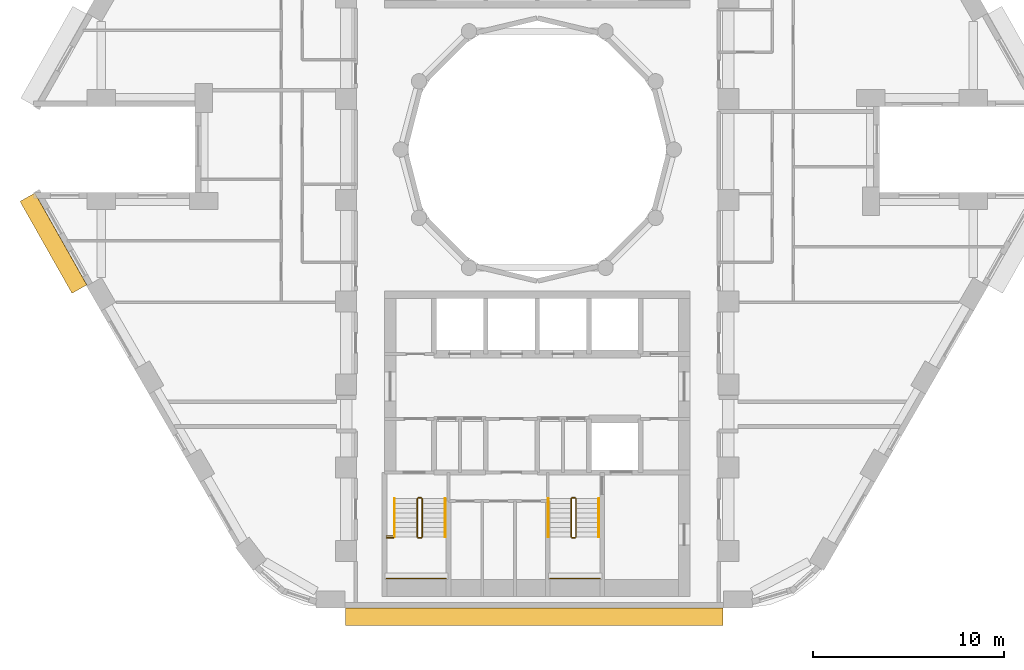
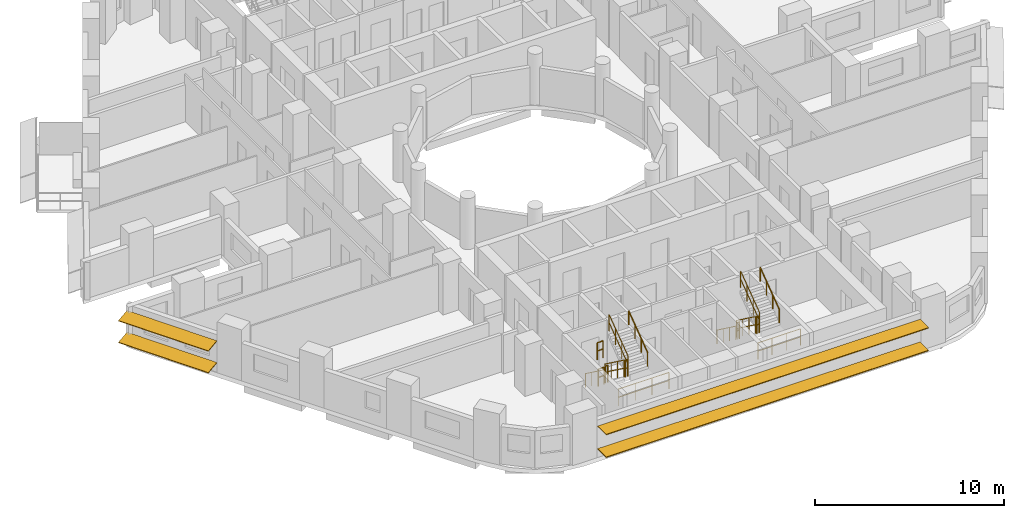
# One storey, part 11 of 13: 16 railings, 4 shading devices.
"""IFC4 building model written with IfcOpenShell, lengths in metres."""

from ifc_helpers import new_model, si_unit, direction, frame, origin, origin_2d, place, context, subcontext, project, spatial, rectangle, circle, extrude, material, material_profile, profile_set, type_object, element, save


model = new_model("IFC4")

# Units and contexts
model_context = context("Model", 3, precision=1e-05, world=origin(), true_north=direction((0.0, 1.0)))
body_context = subcontext(model_context, "Body", "Model", "MODEL_VIEW")
ifc_project = project(units=[si_unit("LENGTHUNIT", "METRE"), si_unit("AREAUNIT", "SQUARE_METRE"), si_unit("VOLUMEUNIT", "CUBIC_METRE"), si_unit("PLANEANGLEUNIT", "RADIAN"), si_unit("MASSUNIT", "GRAM", prefix="KILO")], contexts=[model_context])

# Site, building, storey
site_placement = place(None, origin())
site = spatial("IfcSite", under=ifc_project, at=site_placement, CompositionType="ELEMENT")
building_placement = place(site_placement, origin())
building = spatial("IfcBuilding", under=site, at=building_placement, Name="Nakaniwa Court", CompositionType="ELEMENT")
storey_placement = place(building_placement, frame((0.0, 0.0, 48.0)))
storey = spatial("IfcBuildingStorey", under=building, at=storey_placement, Name="L12", CompositionType="ELEMENT", Elevation=48.0)

# Shading devices
ifc_material_1 = material(Name="Perforated charcoal ceramic louvre blade")
ifc_material_profile = material_profile(ifc_material_1, rectangle(XDim=0.89990234375, YDim=0.050048828125, at=origin_2d()), Name="Perforated ceramic louvre blade")
ifc_profile_set = profile_set([ifc_material_profile], Name="Perforated charcoal ceramic louvre blade")
shading_device_type = type_object("IfcShadingDeviceType", Name="Perforated ceramic louvre blade", PredefinedType="JALOUSIE", material=ifc_profile_set)
for number, where, z_axis, x_axis, name in (
    (1, (53.31689453125, 77.508056640625, 0.550048828125), (0.492342539441, -0.870401530247, 0.0), (0.86275552304, 0.488017576221, 0.132256390257), "L12 perforated ceramic louvre blade w20 1"),
    (2, (53.31689453125, 77.508056640625, 1.955810546875), (0.492342539441, -0.870401530247, 0.0), (0.86275552304, 0.488017576221, 0.132256390257), "L12 perforated ceramic louvre blade w20 2"),
):
    element("IfcShadingDevice", number, at=place(storey_placement, frame(where, z_axis=z_axis, x_axis=x_axis)), inside=storey, type_object=shading_device_type, Name=name, PredefinedType="JALOUSIE", context=body_context, shape_type="SweptSolid", body=[
        extrude(rectangle(XDim=0.89990234375, YDim=0.050048828125, at=origin_2d()), origin(), (0.0, 0.0, 1.0), 5.526611328125),
    ])
for number, where, z_axis, x_axis, name in (
    (3, (69.97119140625, 55.550048828125, 0.550048828125), (1.0, 0.0, 0.0), (0.0, 1.0, 0.0), "L12 perforated ceramic louvre blade w26 1"),
    (4, (69.97119140625, 55.550048828125, 2.014892578125), (1.0, 0.0, 0.0), (0.0, 1.0, 0.0), "L12 perforated ceramic louvre blade w26 2"),
):
    element("IfcShadingDevice", number, at=place(storey_placement, frame(where, z_axis=z_axis, x_axis=x_axis)), inside=storey, type_object=shading_device_type, Name=name, PredefinedType="JALOUSIE", context=body_context, shape_type="SweptSolid", body=[
        extrude(rectangle(XDim=0.89990234375, YDim=0.050048828125, at=origin_2d()), origin(), (0.0, 0.0, 1.0), 19.739990234375),
    ])

# Railings
ifc_material_2 = material(Name="Black powder coated steel guard", Category="steel")
railing_type_1 = type_object("IfcRailingType", Name="Stair guard 1100", PredefinedType="GUARDRAIL", material=ifc_material_2)
railing_1_placement = place(storey_placement, frame((73.72509765625, 61.72509765625, 0.183349609375)))
element("IfcRailing", 5, at=railing_1_placement, inside=storey, type_object=railing_type_1, Name="L12 ST3 stair guard 1", PredefinedType="GUARDRAIL", context=body_context, shape_type="SweptSolid", body=[
    extrude(circle(Radius=0.02392578125, at=origin_2d()), frame((0.0, 0.0, 1.076171875), z_axis=(0.0, -0.806426902644, 0.591333789573), x_axis=(1.0, 0.0, 0.0)), (0.0, 0.0, 1.0), 2.47998046875),
    extrude(circle(Radius=0.02392578125, at=origin_2d()), frame((0.0, 0.0, 0.550048828125), z_axis=(0.0, -0.806426902644, 0.591333789573), x_axis=(1.0, 0.0, 0.0)), (0.0, 0.0, 1.0), 2.47998046875),
    extrude(circle(Radius=0.02099609375, at=origin_2d()), origin(), (0.0, 0.0, 1.0), 1.052001953125),
    extrude(circle(Radius=0.02099609375, at=origin_2d()), frame((0.0, -0.666748046875, 0.48876953125)), (0.0, 0.0, 1.0), 1.052001953125),
    extrude(circle(Radius=0.02099609375, at=origin_2d()), frame((0.0, -1.333251953125, 0.977783203125)), (0.0, 0.0, 1.0), 1.052001953125),
    extrude(circle(Radius=0.02099609375, at=origin_2d()), frame((0.0, -2.0, 1.466552734375)), (0.0, 0.0, 1.0), 1.052001953125),
])
railing_2_placement = place(storey_placement, frame((73.77490234375, 59.675048828125, 1.64990234375)))
element("IfcRailing", 6, at=railing_2_placement, inside=storey, type_object=railing_type_1, Name="L12 ST3 stair guard 2", PredefinedType="GUARDRAIL", context=body_context, shape_type="SweptSolid", body=[
    extrude(circle(Radius=0.02392578125, at=origin_2d()), frame((0.0, 0.0, 1.076171875), z_axis=(1.0, 0.0, 0.0), x_axis=(0.0, 1.0, 0.0)), (0.0, 0.0, 1.0), 0.150146484375),
    extrude(circle(Radius=0.02392578125, at=origin_2d()), frame((0.0, 0.0, 0.550048828125), z_axis=(1.0, 0.0, 0.0), x_axis=(0.0, 1.0, 0.0)), (0.0, 0.0, 1.0), 0.150146484375),
    extrude(circle(Radius=0.02099609375, at=origin_2d()), origin(), (0.0, 0.0, 1.0), 1.052001953125),
    extrude(circle(Radius=0.02099609375, at=origin_2d()), frame((0.150146484375, 0.0, 0.0)), (0.0, 0.0, 1.0), 1.052001953125),
])
railing_3_placement = place(storey_placement, frame((73.97509765625, 59.72509765625, 1.833251953125)))
element("IfcRailing", 7, at=railing_3_placement, inside=storey, type_object=railing_type_1, Name="L12 ST3 stair guard 3", PredefinedType="GUARDRAIL", context=body_context, shape_type="SweptSolid", body=[
    extrude(circle(Radius=0.02392578125, at=origin_2d()), frame((0.0, 0.0, 1.076171875), z_axis=(0.0, 0.806379959628, 0.591397802423), x_axis=(-1.0, 0.0, 0.0)), (0.0, 0.0, 1.0), 2.480224609375),
    extrude(circle(Radius=0.02392578125, at=origin_2d()), frame((0.0, 0.0, 0.550048828125), z_axis=(0.0, 0.806379959628, 0.591397802423), x_axis=(-1.0, 0.0, 0.0)), (0.0, 0.0, 1.0), 2.480224609375),
    extrude(circle(Radius=0.02099609375, at=origin_2d()), origin(), (0.0, 0.0, 1.0), 1.052001953125),
    extrude(circle(Radius=0.02099609375, at=origin_2d()), frame((0.0, 0.666748046875, 0.489013671875)), (0.0, 0.0, 1.0), 1.052001953125),
    extrude(circle(Radius=0.02099609375, at=origin_2d()), frame((0.0, 1.333251953125, 0.977783203125)), (0.0, 0.0, 1.0), 1.052001953125),
    extrude(circle(Radius=0.02099609375, at=origin_2d()), frame((0.0, 2.0, 1.466796875)), (0.0, 0.0, 1.0), 1.052001953125),
])
railing_4_placement = place(storey_placement, frame((73.77490234375, 61.77490234375, 0.0)))
element("IfcRailing", 8, at=railing_4_placement, inside=storey, type_object=railing_type_1, Name="L12 ST3 stair guard 4", PredefinedType="GUARDRAIL", context=body_context, shape_type="SweptSolid", body=[
    extrude(circle(Radius=0.02392578125, at=origin_2d()), frame((0.0, 0.0, 1.076171875), z_axis=(1.0, 0.0, 0.0), x_axis=(0.0, 1.0, 0.0)), (0.0, 0.0, 1.0), 0.150146484375),
    extrude(circle(Radius=0.02392578125, at=origin_2d()), frame((0.0, 0.0, 0.550048828125), z_axis=(1.0, 0.0, 0.0), x_axis=(0.0, 1.0, 0.0)), (0.0, 0.0, 1.0), 0.150146484375),
    extrude(circle(Radius=0.02099609375, at=origin_2d()), origin(), (0.0, 0.0, 1.0), 1.052001953125),
    extrude(circle(Radius=0.02099609375, at=origin_2d()), frame((0.150146484375, 0.0, 0.0)), (0.0, 0.0, 1.0), 1.052001953125),
])
railing_5_placement = place(storey_placement, frame((72.125, 57.550048828125, 1.64990234375)))
element("IfcRailing", 9, at=railing_5_placement, inside=storey, type_object=railing_type_1, Name="L12 ST3 landing end guard 1", PredefinedType="GUARDRAIL", context=body_context, shape_type="SweptSolid", body=[
    extrude(circle(Radius=0.02392578125, at=origin_2d()), frame((0.0, 0.0, 1.076171875), z_axis=(1.0, 0.0, 0.0), x_axis=(0.0, 1.0, 0.0)), (0.0, 0.0, 1.0), 3.10009765625),
    extrude(circle(Radius=0.02392578125, at=origin_2d()), frame((0.0, 0.0, 0.550048828125), z_axis=(1.0, 0.0, 0.0), x_axis=(0.0, 1.0, 0.0)), (0.0, 0.0, 1.0), 3.10009765625),
    extrude(circle(Radius=0.02099609375, at=origin_2d()), origin(), (0.0, 0.0, 1.0), 1.052001953125),
    extrude(circle(Radius=0.02099609375, at=origin_2d()), frame((1.033447265625, 0.0, 0.0)), (0.0, 0.0, 1.0), 1.052001953125),
    extrude(circle(Radius=0.02099609375, at=origin_2d()), frame((2.066650390625, 0.0, 0.0)), (0.0, 0.0, 1.0), 1.052001953125),
    extrude(circle(Radius=0.02099609375, at=origin_2d()), frame((3.10009765625, 0.0, 0.0)), (0.0, 0.0, 1.0), 1.052001953125),
])
for number, where, name in (
    (10, (72.125, 59.675048828125, 1.64990234375), "L12 ST3 landing side guard 1W"),
    (11, (72.125, 59.77490234375, 3.300048828125), "L12 ST3 floor edge guard 1W"),
):
    element("IfcRailing", number, at=place(storey_placement, frame(where)), inside=storey, type_object=railing_type_1, Name=name, PredefinedType="GUARDRAIL", context=body_context, shape_type="SweptSolid", body=[
        extrude(circle(Radius=0.02392578125, at=origin_2d()), frame((0.0, 0.0, 1.076171875), z_axis=(1.0, 0.0, 0.0), x_axis=(0.0, 1.0, 0.0)), (0.0, 0.0, 1.0), 0.35009765625),
        extrude(circle(Radius=0.02392578125, at=origin_2d()), frame((0.0, 0.0, 0.550048828125), z_axis=(1.0, 0.0, 0.0), x_axis=(0.0, 1.0, 0.0)), (0.0, 0.0, 1.0), 0.35009765625),
        extrude(circle(Radius=0.02099609375, at=origin_2d()), origin(), (0.0, 0.0, 1.0), 1.052001953125),
        extrude(circle(Radius=0.02099609375, at=origin_2d()), frame((0.35009765625, 0.0, 0.0)), (0.0, 0.0, 1.0), 1.052001953125),
    ])
railing_6_placement = place(storey_placement, frame((81.77490234375, 61.72509765625, 0.183349609375)))
element("IfcRailing", 12, at=railing_6_placement, inside=storey, type_object=railing_type_1, Name="L12 ST4 stair guard 1", PredefinedType="GUARDRAIL", context=body_context, shape_type="SweptSolid", body=[
    extrude(circle(Radius=0.02392578125, at=origin_2d()), frame((0.0, 0.0, 1.076171875), z_axis=(0.0, -0.806426902644, 0.591333789573), x_axis=(1.0, 0.0, 0.0)), (0.0, 0.0, 1.0), 2.47998046875),
    extrude(circle(Radius=0.02392578125, at=origin_2d()), frame((0.0, 0.0, 0.550048828125), z_axis=(0.0, -0.806426902644, 0.591333789573), x_axis=(1.0, 0.0, 0.0)), (0.0, 0.0, 1.0), 2.47998046875),
    extrude(circle(Radius=0.02099609375, at=origin_2d()), origin(), (0.0, 0.0, 1.0), 1.052001953125),
    extrude(circle(Radius=0.02099609375, at=origin_2d()), frame((0.0, -0.666748046875, 0.48876953125)), (0.0, 0.0, 1.0), 1.052001953125),
    extrude(circle(Radius=0.02099609375, at=origin_2d()), frame((0.0, -1.333251953125, 0.977783203125)), (0.0, 0.0, 1.0), 1.052001953125),
    extrude(circle(Radius=0.02099609375, at=origin_2d()), frame((0.0, -2.0, 1.466552734375)), (0.0, 0.0, 1.0), 1.052001953125),
])
railing_7_placement = place(storey_placement, frame((81.824951171875, 59.675048828125, 1.64990234375)))
element("IfcRailing", 13, at=railing_7_placement, inside=storey, type_object=railing_type_1, Name="L12 ST4 stair guard 2", PredefinedType="GUARDRAIL", context=body_context, shape_type="SweptSolid", body=[
    extrude(circle(Radius=0.02392578125, at=origin_2d()), frame((0.0, 0.0, 1.076171875), z_axis=(1.0, 0.0, 0.0), x_axis=(0.0, 1.0, 0.0)), (0.0, 0.0, 1.0), 0.150146484375),
    extrude(circle(Radius=0.02392578125, at=origin_2d()), frame((0.0, 0.0, 0.550048828125), z_axis=(1.0, 0.0, 0.0), x_axis=(0.0, 1.0, 0.0)), (0.0, 0.0, 1.0), 0.150146484375),
    extrude(circle(Radius=0.02099609375, at=origin_2d()), origin(), (0.0, 0.0, 1.0), 1.052001953125),
    extrude(circle(Radius=0.02099609375, at=origin_2d()), frame((0.150146484375, 0.0, 0.0)), (0.0, 0.0, 1.0), 1.052001953125),
])
railing_8_placement = place(storey_placement, frame((82.02490234375, 59.72509765625, 1.833251953125)))
element("IfcRailing", 14, at=railing_8_placement, inside=storey, type_object=railing_type_1, Name="L12 ST4 stair guard 3", PredefinedType="GUARDRAIL", context=body_context, shape_type="SweptSolid", body=[
    extrude(circle(Radius=0.02392578125, at=origin_2d()), frame((0.0, 0.0, 1.076171875), z_axis=(0.0, 0.806379959628, 0.591397802423), x_axis=(-1.0, 0.0, 0.0)), (0.0, 0.0, 1.0), 2.480224609375),
    extrude(circle(Radius=0.02392578125, at=origin_2d()), frame((0.0, 0.0, 0.550048828125), z_axis=(0.0, 0.806379959628, 0.591397802423), x_axis=(-1.0, 0.0, 0.0)), (0.0, 0.0, 1.0), 2.480224609375),
    extrude(circle(Radius=0.02099609375, at=origin_2d()), origin(), (0.0, 0.0, 1.0), 1.052001953125),
    extrude(circle(Radius=0.02099609375, at=origin_2d()), frame((0.0, 0.666748046875, 0.489013671875)), (0.0, 0.0, 1.0), 1.052001953125),
    extrude(circle(Radius=0.02099609375, at=origin_2d()), frame((0.0, 1.333251953125, 0.977783203125)), (0.0, 0.0, 1.0), 1.052001953125),
    extrude(circle(Radius=0.02099609375, at=origin_2d()), frame((0.0, 2.0, 1.466796875)), (0.0, 0.0, 1.0), 1.052001953125),
])
railing_9_placement = place(storey_placement, frame((81.824951171875, 61.77490234375, 0.0)))
element("IfcRailing", 15, at=railing_9_placement, inside=storey, type_object=railing_type_1, Name="L12 ST4 stair guard 4", PredefinedType="GUARDRAIL", context=body_context, shape_type="SweptSolid", body=[
    extrude(circle(Radius=0.02392578125, at=origin_2d()), frame((0.0, 0.0, 1.076171875), z_axis=(1.0, 0.0, 0.0), x_axis=(0.0, 1.0, 0.0)), (0.0, 0.0, 1.0), 0.150146484375),
    extrude(circle(Radius=0.02392578125, at=origin_2d()), frame((0.0, 0.0, 0.550048828125), z_axis=(1.0, 0.0, 0.0), x_axis=(0.0, 1.0, 0.0)), (0.0, 0.0, 1.0), 0.150146484375),
    extrude(circle(Radius=0.02099609375, at=origin_2d()), origin(), (0.0, 0.0, 1.0), 1.052001953125),
    extrude(circle(Radius=0.02099609375, at=origin_2d()), frame((0.150146484375, 0.0, 0.0)), (0.0, 0.0, 1.0), 1.052001953125),
])
railing_10_placement = place(storey_placement, frame((80.675048828125, 57.550048828125, 1.64990234375)))
element("IfcRailing", 16, at=railing_10_placement, inside=storey, type_object=railing_type_1, Name="L12 ST4 landing end guard 1", PredefinedType="GUARDRAIL", context=body_context, shape_type="SweptSolid", body=[
    extrude(circle(Radius=0.02392578125, at=origin_2d()), frame((0.0, 0.0, 1.076171875), z_axis=(1.0, 0.0, 0.0), x_axis=(0.0, 1.0, 0.0)), (0.0, 0.0, 1.0), 2.599853515625),
    extrude(circle(Radius=0.02392578125, at=origin_2d()), frame((0.0, 0.0, 0.550048828125), z_axis=(1.0, 0.0, 0.0), x_axis=(0.0, 1.0, 0.0)), (0.0, 0.0, 1.0), 2.599853515625),
    extrude(circle(Radius=0.02099609375, at=origin_2d()), origin(), (0.0, 0.0, 1.0), 1.052001953125),
    extrude(circle(Radius=0.02099609375, at=origin_2d()), frame((0.86669921875, 0.0, 0.0)), (0.0, 0.0, 1.0), 1.052001953125),
    extrude(circle(Radius=0.02099609375, at=origin_2d()), frame((1.733154296875, 0.0, 0.0)), (0.0, 0.0, 1.0), 1.052001953125),
    extrude(circle(Radius=0.02099609375, at=origin_2d()), frame((2.599853515625, 0.0, 0.0)), (0.0, 0.0, 1.0), 1.052001953125),
])
ifc_material_3 = material(Name="Black powder coated steel handrail", Category="steel")
railing_type_2 = type_object("IfcRailingType", Name="Stair handrail 900", PredefinedType="HANDRAIL", material=ifc_material_3)
railing_11_placement = place(storey_placement, frame((72.52490234375, 61.72509765625, 0.183349609375)))
element("IfcRailing", 17, at=railing_11_placement, inside=storey, type_object=railing_type_2, Name="L12 ST3 stair handrail 1", PredefinedType="HANDRAIL", context=body_context, shape_type="SweptSolid", body=[
    extrude(circle(Radius=0.02392578125, at=origin_2d()), frame((0.0, 0.0, 0.8759765625), z_axis=(0.0, -0.806426902644, 0.591333789573), x_axis=(1.0, 0.0, 0.0)), (0.0, 0.0, 1.0), 2.47998046875),
    extrude(circle(Radius=0.02099609375, at=origin_2d()), origin(), (0.0, 0.0, 1.0), 0.851806640625),
    extrude(circle(Radius=0.02099609375, at=origin_2d()), frame((0.0, -0.666748046875, 0.48876953125)), (0.0, 0.0, 1.0), 0.851806640625),
    extrude(circle(Radius=0.02099609375, at=origin_2d()), frame((0.0, -1.333251953125, 0.977783203125)), (0.0, 0.0, 1.0), 0.851806640625),
    extrude(circle(Radius=0.02099609375, at=origin_2d()), frame((0.0, -2.0, 1.466552734375)), (0.0, 0.0, 1.0), 0.851806640625),
])
railing_12_placement = place(storey_placement, frame((75.175048828125, 59.72509765625, 1.833251953125)))
element("IfcRailing", 18, at=railing_12_placement, inside=storey, type_object=railing_type_2, Name="L12 ST3 stair handrail 2", PredefinedType="HANDRAIL", context=body_context, shape_type="SweptSolid", body=[
    extrude(circle(Radius=0.02392578125, at=origin_2d()), frame((0.0, 0.0, 0.8759765625), z_axis=(0.0, 0.806379959628, 0.591397802423), x_axis=(-1.0, 0.0, 0.0)), (0.0, 0.0, 1.0), 2.480224609375),
    extrude(circle(Radius=0.02099609375, at=origin_2d()), origin(), (0.0, 0.0, 1.0), 0.851806640625),
    extrude(circle(Radius=0.02099609375, at=origin_2d()), frame((0.0, 0.666748046875, 0.489013671875)), (0.0, 0.0, 1.0), 0.851806640625),
    extrude(circle(Radius=0.02099609375, at=origin_2d()), frame((0.0, 1.333251953125, 0.977783203125)), (0.0, 0.0, 1.0), 0.851806640625),
    extrude(circle(Radius=0.02099609375, at=origin_2d()), frame((0.0, 2.0, 1.466796875)), (0.0, 0.0, 1.0), 0.851806640625),
])
railing_13_placement = place(storey_placement, frame((80.574951171875, 61.72509765625, 0.183349609375)))
element("IfcRailing", 19, at=railing_13_placement, inside=storey, type_object=railing_type_2, Name="L12 ST4 stair handrail 1", PredefinedType="HANDRAIL", context=body_context, shape_type="SweptSolid", body=[
    extrude(circle(Radius=0.02392578125, at=origin_2d()), frame((0.0, 0.0, 0.8759765625), z_axis=(0.0, -0.806426902644, 0.591333789573), x_axis=(1.0, 0.0, 0.0)), (0.0, 0.0, 1.0), 2.47998046875),
    extrude(circle(Radius=0.02099609375, at=origin_2d()), origin(), (0.0, 0.0, 1.0), 0.851806640625),
    extrude(circle(Radius=0.02099609375, at=origin_2d()), frame((0.0, -0.666748046875, 0.48876953125)), (0.0, 0.0, 1.0), 0.851806640625),
    extrude(circle(Radius=0.02099609375, at=origin_2d()), frame((0.0, -1.333251953125, 0.977783203125)), (0.0, 0.0, 1.0), 0.851806640625),
    extrude(circle(Radius=0.02099609375, at=origin_2d()), frame((0.0, -2.0, 1.466552734375)), (0.0, 0.0, 1.0), 0.851806640625),
])
railing_14_placement = place(storey_placement, frame((83.22509765625, 59.72509765625, 1.833251953125)))
element("IfcRailing", 20, at=railing_14_placement, inside=storey, type_object=railing_type_2, Name="L12 ST4 stair handrail 2", PredefinedType="HANDRAIL", context=body_context, shape_type="SweptSolid", body=[
    extrude(circle(Radius=0.02392578125, at=origin_2d()), frame((0.0, 0.0, 0.8759765625), z_axis=(0.0, 0.806379959628, 0.591397802423), x_axis=(-1.0, 0.0, 0.0)), (0.0, 0.0, 1.0), 2.480224609375),
    extrude(circle(Radius=0.02099609375, at=origin_2d()), origin(), (0.0, 0.0, 1.0), 0.851806640625),
    extrude(circle(Radius=0.02099609375, at=origin_2d()), frame((0.0, 0.666748046875, 0.489013671875)), (0.0, 0.0, 1.0), 0.851806640625),
    extrude(circle(Radius=0.02099609375, at=origin_2d()), frame((0.0, 1.333251953125, 0.977783203125)), (0.0, 0.0, 1.0), 0.851806640625),
    extrude(circle(Radius=0.02099609375, at=origin_2d()), frame((0.0, 2.0, 1.466796875)), (0.0, 0.0, 1.0), 0.851806640625),
])

save(model, "model.ifc")
